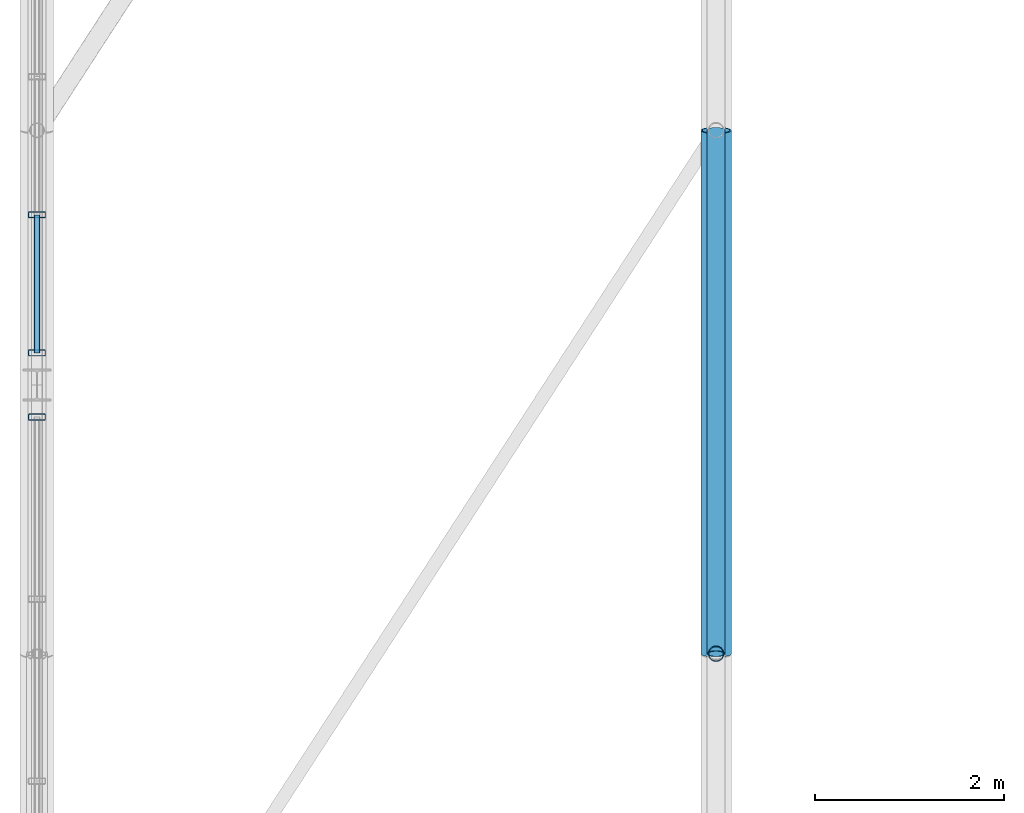
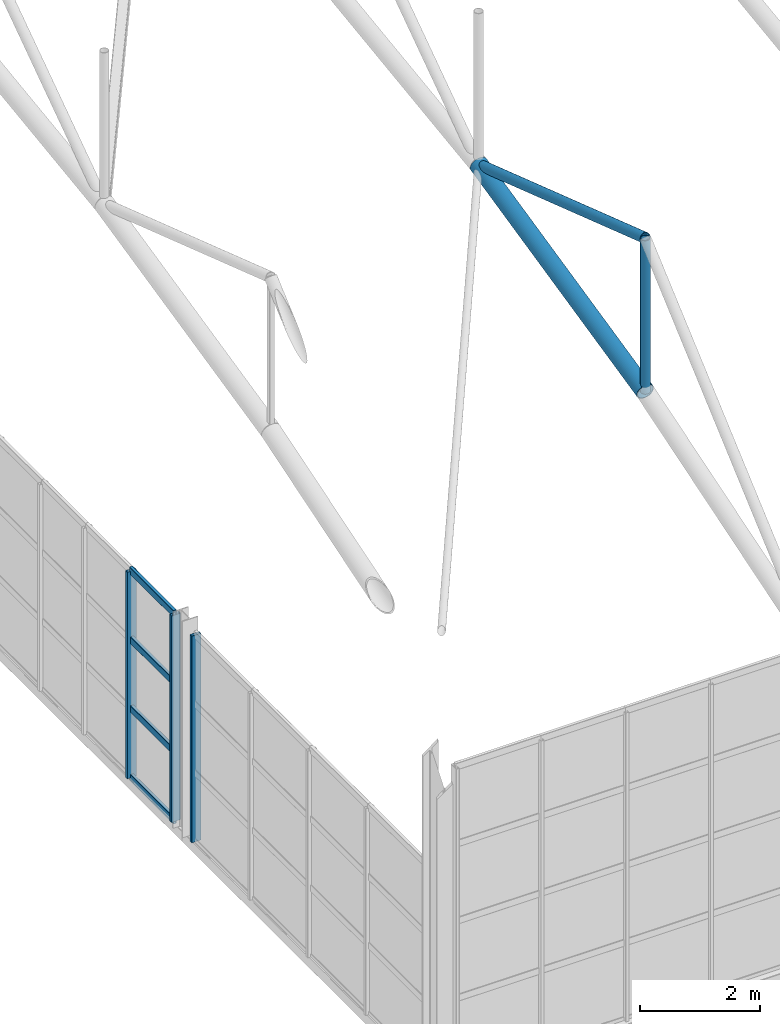
# One storey, part 21 of 153: 10 members, 2 elements without a shape of their own.
"""IFC4 building model written with IfcOpenShell, lengths in metres."""

from ifc_helpers import new_model, si_unit, derived_unit, direction, frame, origin, origin_2d, place, context, subcontext, project, spatial, hollow_rectangle, hollow_circle, extrude, material, material_profile, profile_set, type_object, element, aggregate, save


model = new_model("IFC4")

# Units and contexts
model_context = context("Model", 3, precision=1e-05, world=origin(), true_north=direction((0.0, 1.0)))
body_context = subcontext(model_context, "Body", "Model", "MODEL_VIEW")
ifc_project = project(units=[si_unit("LENGTHUNIT", "METRE"), si_unit("AREAUNIT", "SQUARE_METRE"), si_unit("VOLUMEUNIT", "CUBIC_METRE"), si_unit("PLANEANGLEUNIT", "RADIAN"), si_unit("MASSUNIT", "GRAM", prefix="KILO"), derived_unit("THERMALTRANSMITTANCEUNIT", [(si_unit("POWERUNIT", "WATT"), 1), (si_unit("LENGTHUNIT", "METRE"), -2), (si_unit("THERMODYNAMICTEMPERATUREUNIT", "KELVIN"), -1)])], contexts=[model_context])

# Site, building, storey
site_placement = place(None, origin())
site = spatial("IfcSite", under=ifc_project, at=site_placement, CompositionType="ELEMENT")
building_placement = place(site_placement, origin())
building = spatial("IfcBuilding", under=site, at=building_placement, Name="Keldorne Ridge Multi-Sports Centre", CompositionType="ELEMENT")
storey_placement = place(building_placement, frame((0.0, 0.0, 9.60009765625)))
storey = spatial("IfcBuildingStorey", under=building, at=storey_placement, Name="L02", CompositionType="ELEMENT", Elevation=9.60009765625)

# Curtain wall, member
ifc_material_1 = material(Name="Anodized aluminium", Category="aluminium")
curtain_wall_type_1 = type_object("IfcCurtainWallType", Name="CW-CW-05", PredefinedType="NOTDEFINED", material=ifc_material_1)
curtain_wall_1_placement = place(storey_placement, origin())
curtain_wall_1 = element("IfcCurtainWall", 1, at=curtain_wall_1_placement, inside=storey, type_object=curtain_wall_type_1, Name="Main Hall west high gable glazing 029", PredefinedType="NOTDEFINED")
ifc_material_profile_1 = material_profile(ifc_material_1, hollow_rectangle(XDim=0.06494140625, YDim=0.179931640625, WallThickness=0.00439453125, InnerFilletRadius=0.00439453125, OuterFilletRadius=0.009033203125, at=origin_2d()), Name="ALU MULLION 180x65x4.5")
ifc_profile_set_1 = profile_set([ifc_material_profile_1], Name="Anodized aluminium")
member_type_1 = type_object("IfcMemberType", Name="MEM-ML-01", PredefinedType="MULLION", material=ifc_profile_set_1)
member_1_placement = place(storey_placement, frame((6.0, 17.659912109375, 0.0), z_axis=(0.0, 0.0, 1.0), x_axis=(0.0, 1.0, 0.0)))
member_1 = element("IfcMember", 2, at=member_1_placement, type_object=member_type_1, Name="CW-029 vertical mullion 1", PredefinedType="MULLION", context=body_context, shape_type="SweptSolid", body=[
    extrude(hollow_rectangle(XDim=0.06494140625, YDim=0.179931640625, WallThickness=0.00439453125, InnerFilletRadius=0.00439453125, OuterFilletRadius=0.009033203125, at=origin_2d()), origin(), (0.0, 0.0, 1.0), 4.199951171875),
])
aggregate(curtain_wall_1, [member_1])

# Curtain wall, members
curtain_wall_type_2 = type_object("IfcCurtainWallType", Name="CW-CW-06", PredefinedType="NOTDEFINED", material=ifc_material_1)
curtain_wall_2_placement = place(storey_placement, origin())
curtain_wall_2 = element("IfcCurtainWall", 3, at=curtain_wall_2_placement, inside=storey, type_object=curtain_wall_type_2, Name="Main Hall west high gable glazing 030", PredefinedType="NOTDEFINED")
member_2_placement = place(storey_placement, frame((6.0, 19.803955078125, 0.0), z_axis=(0.0, 0.0, 1.0), x_axis=(0.0, 1.0, 0.0)))
member_2 = element("IfcMember", 4, at=member_2_placement, type_object=member_type_1, Name="CW-030 vertical mullion 5", PredefinedType="MULLION", context=body_context, shape_type="SweptSolid", body=[
    extrude(hollow_rectangle(XDim=0.06494140625, YDim=0.179931640625, WallThickness=0.00439453125, InnerFilletRadius=0.00439453125, OuterFilletRadius=0.009033203125, at=origin_2d()), origin(), (0.0, 0.0, 1.0), 4.199951171875),
])
member_3_placement = place(storey_placement, frame((6.0, 18.340087890625, 0.0), z_axis=(0.0, 0.0, 1.0), x_axis=(0.0, 1.0, 0.0)))
member_3 = element("IfcMember", 5, at=member_3_placement, type_object=member_type_1, Name="CW-030 vertical mullion 6", PredefinedType="MULLION", context=body_context, shape_type="SweptSolid", body=[
    extrude(hollow_rectangle(XDim=0.06494140625, YDim=0.179931640625, WallThickness=0.00439453125, InnerFilletRadius=0.00439453125, OuterFilletRadius=0.009033203125, at=origin_2d()), origin(), (0.0, 0.0, 1.0), 4.199951171875),
])

# Members
ifc_material_2 = material(Name="Steel S355", Category="steel")
ifc_material_profile_2 = material_profile(ifc_material_2, hollow_circle(Radius=0.161865234375, WallThickness=0.01611328125, at=origin_2d()), Name="CHS 323.9x16")
ifc_profile_set_2 = profile_set([ifc_material_profile_2], Name="Steel S355")
member_type_2 = type_object("IfcMemberType", Name="MEM-TC-02", PredefinedType="CHORD", material=ifc_profile_set_2)
member_4_placement = place(storey_placement, frame((13.199951171875, 15.14990234375, 8.1298828125), z_axis=(0.0, 0.975563092904, 0.219719484259), x_axis=(-1.0, 0.0, 0.0)))
element("IfcMember", 6, at=member_4_placement, inside=storey, type_object=member_type_2, Name="Main Hall ROOF TRUSS AT-02 bottom chord 2", PredefinedType="CHORD", context=body_context, shape_type="SweptSolid", body=[
    extrude(hollow_circle(Radius=0.161865234375, WallThickness=0.01611328125, at=origin_2d()), origin(), (0.0, 0.0, 1.0), 5.68896484375),
])
ifc_material_profile_3 = material_profile(ifc_material_2, hollow_circle(Radius=0.096923828125, WallThickness=0.010009765625, at=origin_2d()), Name="CHS 193.7x10")
ifc_profile_set_3 = profile_set([ifc_material_profile_3], Name="Steel S355")
member_type_3 = type_object("IfcMemberType", Name="MEM-TD-01", PredefinedType="BRACE", material=ifc_profile_set_3)
member_5_placement = place(storey_placement, frame((13.199951171875, 15.14990234375, 11.25), z_axis=(0.0, 0.94764862416, -0.319315024901), x_axis=(-1.0, 0.0, 0.0)))
element("IfcMember", 7, at=member_5_placement, inside=storey, type_object=member_type_3, Name="Main Hall ROOF TRUSS AT-02 diagonal 2", PredefinedType="BRACE", context=body_context, shape_type="SweptSolid", body=[
    extrude(hollow_circle(Radius=0.096923828125, WallThickness=0.010009765625, at=origin_2d()), origin(), (0.0, 0.0, 1.0), 5.856689453125),
])

# Member
ifc_material_profile_4 = material_profile(ifc_material_1, hollow_rectangle(XDim=0.06494140625, YDim=0.139892578125, WallThickness=0.00439453125, InnerFilletRadius=0.00439453125, OuterFilletRadius=0.009033203125, at=origin_2d()), Name="ALU TRANSOM 140x65x4.5")
ifc_profile_set_4 = profile_set([ifc_material_profile_4], Name="Anodized aluminium")
member_type_4 = type_object("IfcMemberType", Name="MEM-TR-01", PredefinedType="USERDEFINED", material=ifc_profile_set_4)
member_6_placement = place(storey_placement, frame((6.0, 19.803955078125, 0.0), z_axis=(0.0, -1.0, 0.0), x_axis=(1.0, 0.0, 0.0)))
member_6 = element("IfcMember", 8, at=member_6_placement, type_object=member_type_4, Name="CW-030 transom 5.1", ObjectType="TRANSOM", PredefinedType="USERDEFINED", context=body_context, shape_type="SweptSolid", body=[
    extrude(hollow_rectangle(XDim=0.06494140625, YDim=0.139892578125, WallThickness=0.00439453125, InnerFilletRadius=0.00439453125, OuterFilletRadius=0.009033203125, at=origin_2d()), origin(), (0.0, 0.0, 1.0), 1.4638671875),
])

member_7_placement = place(storey_placement, frame((6.0, 19.803955078125, 1.39990234375), z_axis=(0.0, -1.0, 0.0), x_axis=(1.0, 0.0, 0.0)))
member_7 = element("IfcMember", 9, at=member_7_placement, type_object=member_type_4, Name="CW-030 transom 5.2", ObjectType="TRANSOM", PredefinedType="USERDEFINED", context=body_context, shape_type="SweptSolid", body=[
    extrude(hollow_rectangle(XDim=0.06494140625, YDim=0.139892578125, WallThickness=0.00439453125, InnerFilletRadius=0.00439453125, OuterFilletRadius=0.009033203125, at=origin_2d()), origin(), (0.0, 0.0, 1.0), 1.4638671875),
])

member_8_placement = place(storey_placement, frame((6.0, 19.803955078125, 2.7998046875), z_axis=(0.0, -1.0, 0.0), x_axis=(1.0, 0.0, 0.0)))
member_8 = element("IfcMember", 10, at=member_8_placement, type_object=member_type_4, Name="CW-030 transom 5.3", ObjectType="TRANSOM", PredefinedType="USERDEFINED", context=body_context, shape_type="SweptSolid", body=[
    extrude(hollow_rectangle(XDim=0.06494140625, YDim=0.139892578125, WallThickness=0.00439453125, InnerFilletRadius=0.00439453125, OuterFilletRadius=0.009033203125, at=origin_2d()), origin(), (0.0, 0.0, 1.0), 1.4638671875),
])

member_9_placement = place(storey_placement, frame((6.0, 19.803955078125, 4.199951171875), z_axis=(0.0, -1.0, 0.0), x_axis=(1.0, 0.0, 0.0)))
member_9 = element("IfcMember", 11, at=member_9_placement, type_object=member_type_4, Name="CW-030 transom 5.4", ObjectType="TRANSOM", PredefinedType="USERDEFINED", context=body_context, shape_type="SweptSolid", body=[
    extrude(hollow_rectangle(XDim=0.06494140625, YDim=0.139892578125, WallThickness=0.00439453125, InnerFilletRadius=0.00439453125, OuterFilletRadius=0.009033203125, at=origin_2d()), origin(), (0.0, 0.0, 1.0), 1.4638671875),
])

aggregate(curtain_wall_2, [member_2, member_3, member_6, member_7, member_8, member_9])

ifc_material_profile_5 = material_profile(ifc_material_2, hollow_circle(Radius=0.084228515625, WallThickness=0.010009765625, at=origin_2d()), Name="CHS 168.3x10")
ifc_profile_set_5 = profile_set([ifc_material_profile_5], Name="Steel S355")
member_type_5 = type_object("IfcMemberType", Name="MEM-TV-01", PredefinedType="STRUT", material=ifc_profile_set_5)
member_10_placement = place(storey_placement, frame((13.199951171875, 15.14990234375, 8.1298828125), z_axis=(0.0, 0.0, 1.0), x_axis=(1.0, 0.0, 0.0)))
element("IfcMember", 12, at=member_10_placement, inside=storey, type_object=member_type_5, Name="Main Hall ROOF TRUSS AT-02 vertical 2", PredefinedType="STRUT", context=body_context, shape_type="SweptSolid", body=[
    extrude(hollow_circle(Radius=0.084228515625, WallThickness=0.010009765625, at=origin_2d()), origin(), (0.0, 0.0, 1.0), 3.1201171875),
])

save(model, "model.ifc")
